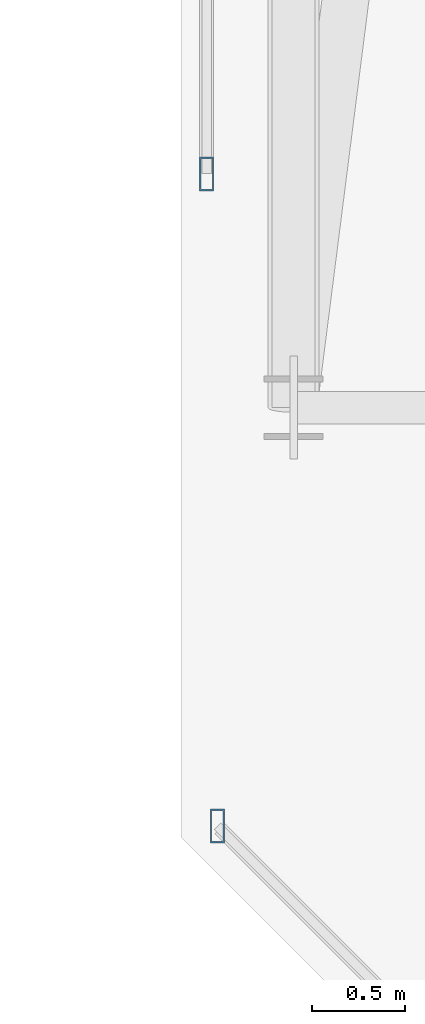
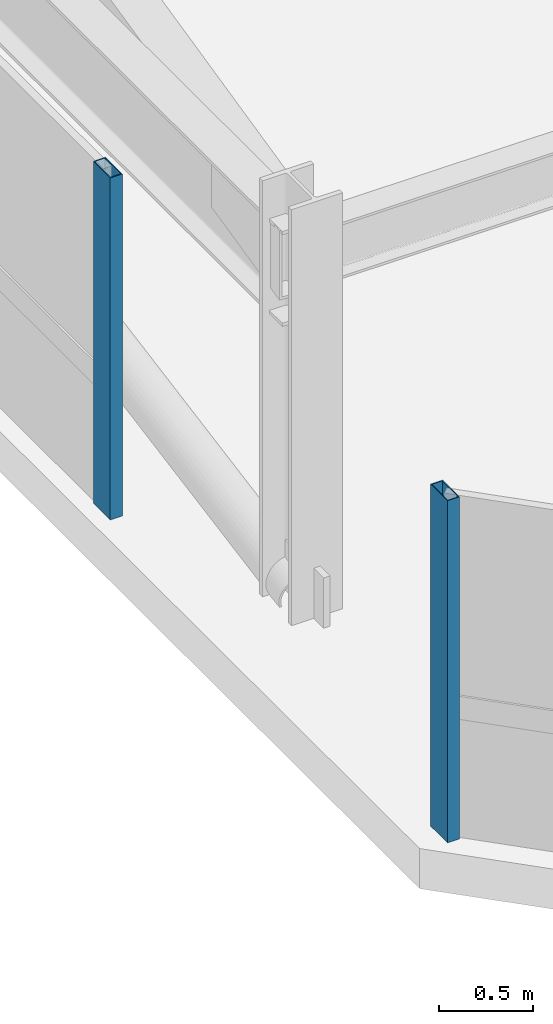
# One storey, part 17 of 42: 2 members, 2 elements without a shape of their own.
"""IFC4 building model written with IfcOpenShell, lengths in metres."""

from ifc_helpers import new_model, si_unit, direction, frame, origin, origin_2d, place, context, subcontext, project, spatial, hollow_rectangle, extrude, material, material_profile, profile_set, type_object, element, aggregate, save


model = new_model("IFC4")

# Units and contexts
model_context = context("Model", 3, precision=1e-05, world=origin(), true_north=direction((0.0, 1.0)))
body_context = subcontext(model_context, "Body", "Model", "MODEL_VIEW")
ifc_project = project(units=[si_unit("LENGTHUNIT", "METRE"), si_unit("AREAUNIT", "SQUARE_METRE"), si_unit("VOLUMEUNIT", "CUBIC_METRE"), si_unit("PLANEANGLEUNIT", "RADIAN"), si_unit("MASSUNIT", "GRAM", prefix="KILO")], contexts=[model_context])

# Site, building, storey
site_placement = place(None, origin())
site = spatial("IfcSite", under=ifc_project, at=site_placement, CompositionType="ELEMENT")
building_placement = place(site_placement, origin())
building = spatial("IfcBuilding", under=site, at=building_placement, Name="Thornwick Lancets Civic Towers", CompositionType="ELEMENT")
storey_placement = place(building_placement, frame((0.0, 0.0, 286.800048828125)))
storey = spatial("IfcBuildingStorey", under=building, at=storey_placement, Name="C03", CompositionType="ELEMENT", Elevation=286.800048828125)

# Curtain wall, member
ifc_material_1 = material(Name="Crown ring acoustic-louvre and glazing screen wall", Category="glass")
curtain_wall_type = type_object("IfcCurtainWallType", Name="CW_SYS_07", PredefinedType="NOTDEFINED", material=ifc_material_1)
curtain_wall_1_placement = place(storey_placement, origin())
curtain_wall_1 = element("IfcCurtainWall", 1, at=curtain_wall_1_placement, inside=storey, type_object=curtain_wall_type, Name="C03 Curtain Wall CW-C03-B-E6-S3", PredefinedType="NOTDEFINED")
ifc_material_2 = material(Name="Thermally broken bronze aluminium S355", Category="steel")
ifc_material_profile = material_profile(ifc_material_2, hollow_rectangle(XDim=0.074951171875, YDim=0.179931640625, WallThickness=0.006103515625, at=origin_2d()), Name="RHS 180x75x6")
ifc_profile_set = profile_set([ifc_material_profile], Name="Thermally broken bronze aluminium S355")
member_type = type_object("IfcMemberType", Name="CW_MUL_180", PredefinedType="MULLION", material=ifc_profile_set)
member_1_placement = place(storey_placement, frame((70.7353515625, 15.25, 0.0), z_axis=(0.0, 0.0, 1.0), x_axis=(1.0, 0.0, 0.0)))
member_1 = element("IfcMember", 2, at=member_1_placement, type_object=member_type, Name="CW-C03-B-E6-S3 Mullion 1", PredefinedType="MULLION", context=body_context, shape_type="SweptSolid", body=[
    extrude(hollow_rectangle(XDim=0.074951171875, YDim=0.179931640625, WallThickness=0.006103515625, at=origin_2d()), origin(), (0.0, 0.0, 1.0), 2.219970703125),
])
aggregate(curtain_wall_1, [member_1])

curtain_wall_2_placement = place(storey_placement, origin())
curtain_wall_2 = element("IfcCurtainWall", 3, at=curtain_wall_2_placement, inside=storey, type_object=curtain_wall_type, Name="C03 Curtain Wall CW-C03-B-E7", PredefinedType="NOTDEFINED")
member_2_placement = place(storey_placement, frame((70.7919921875, 11.761962890625, 0.0), z_axis=(0.0, 0.0, 1.0), x_axis=(1.0, 0.0, 0.0)))
member_2 = element("IfcMember", 4, at=member_2_placement, type_object=member_type, Name="CW-C03-B-E7 Mullion 0", PredefinedType="MULLION", context=body_context, shape_type="SweptSolid", body=[
    extrude(hollow_rectangle(XDim=0.074951171875, YDim=0.179931640625, WallThickness=0.006103515625, at=origin_2d()), origin(), (0.0, 0.0, 1.0), 2.219970703125),
])
aggregate(curtain_wall_2, [member_2])

save(model, "model.ifc")
